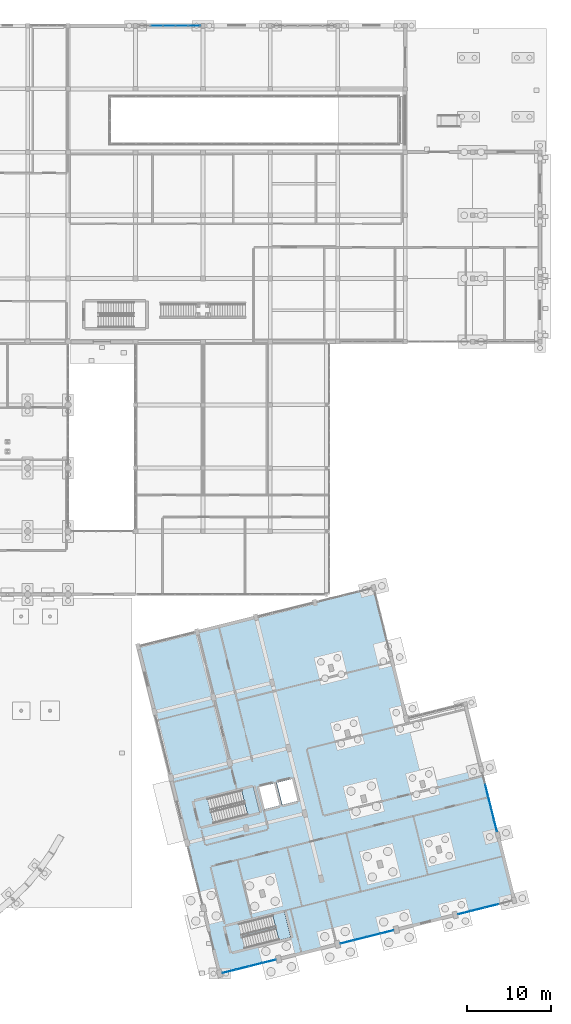
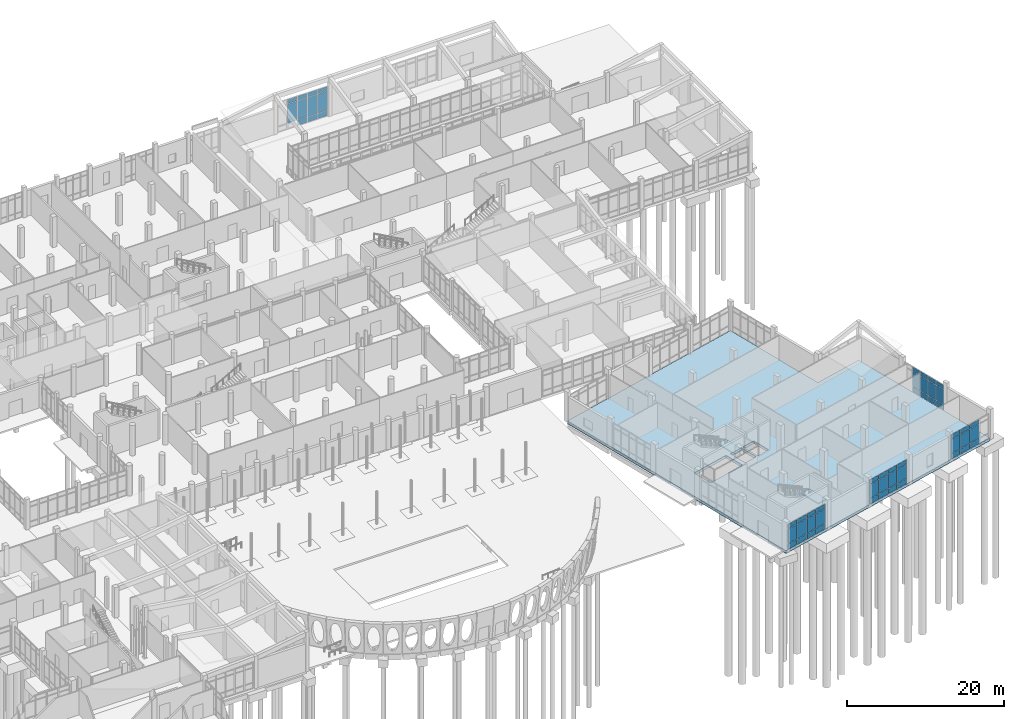
# One storey, part 141 of 173: 56 plates, 3 slabs, 7 elements without a shape of their own.
"""IFC4 building model written with IfcOpenShell, lengths in metres."""

from ifc_helpers import new_model, si_unit, direction, frame, origin, origin_2d, place, context, subcontext, project, spatial, polyline, rectangle, outline, extrude, material, layer, layer_set, type_object, element, aggregate, save


model = new_model("IFC4")

# Units and contexts
model_context = context("Model", 3, precision=1e-05, world=origin(), true_north=direction((0.0, 1.0)))
body_context = subcontext(model_context, "Body", "Model", "MODEL_VIEW")
ifc_project = project(units=[si_unit("LENGTHUNIT", "METRE"), si_unit("AREAUNIT", "SQUARE_METRE"), si_unit("VOLUMEUNIT", "CUBIC_METRE"), si_unit("PLANEANGLEUNIT", "RADIAN"), si_unit("MASSUNIT", "GRAM", prefix="KILO")], contexts=[model_context])

# Site, building, storey
site_placement = place(None, origin())
site = spatial("IfcSite", under=ifc_project, at=site_placement, CompositionType="ELEMENT")
building_placement = place(site_placement, origin())
building = spatial("IfcBuilding", under=site, at=building_placement, Name="Mawjan Specialist Oncology Clinic", CompositionType="ELEMENT")
storey_placement = place(building_placement, origin())
storey = spatial("IfcBuildingStorey", under=building, at=storey_placement, Name="L00", CompositionType="ELEMENT", Elevation=0.0)

# Curtain wall, plates
ifc_material_1 = material(Name="Unitised spectrally selective aluminium curtain wall", Category="aluminium")
ifc_layer_1 = layer(ifc_material_1, 0.179931640625, Name="Unitised spectrally selective aluminium curtain wall", Category="aluminium")
ifc_layer_set_1 = layer_set([ifc_layer_1], Name="Unitised spectrally selective aluminium curtain wall")
curtain_wall_type_1 = type_object("IfcCurtainWallType", Name="CW-15", PredefinedType="NOTDEFINED", material=ifc_layer_set_1)
curtain_wall_1_placement = place(storey_placement, origin())
curtain_wall_1 = element("IfcCurtainWall", 1, at=curtain_wall_1_placement, inside=storey, type_object=curtain_wall_type_1, Name="L00 Unitised Curtain Wall CW-L00-027", PredefinedType="NOTDEFINED")
ifc_material_2 = material(Name="Spectrally selective double low-E glazing", Category="glass")
ifc_layer_2 = layer(ifc_material_2, 0.035888671875, Name="Spectrally selective double low-E glazing", Category="glass")
ifc_layer_set_2 = layer_set([ifc_layer_2], Name="Spectrally selective double low-E glazing")
plate_type = type_object("IfcPlateType", Name="CW-P36", PredefinedType="CURTAIN_PANEL", material=ifc_layer_set_2)
plate_1_placement = place(storey_placement, frame((118.508056640625, 113.300048828125, 0.93505859375), z_axis=(0.0, 0.0, 1.0), x_axis=(1.0, 0.0, 0.0)))
plate_1 = element("IfcPlate", 2, at=plate_1_placement, type_object=plate_type, Name="CW-15 panel 2.2", PredefinedType="CURTAIN_PANEL", context=body_context, shape_type="SweptSolid", body=[
    extrude(rectangle(XDim=1.422119140625, YDim=0.035888671875, at=origin_2d()), origin(), (0.0, 0.0, 1.0), 2.949951171875),
])
plate_2_placement = place(storey_placement, frame((118.508056640625, 113.300048828125, 3.955078125), z_axis=(0.0, 0.0, 1.0), x_axis=(1.0, 0.0, 0.0)))
plate_2 = element("IfcPlate", 3, at=plate_2_placement, type_object=plate_type, Name="CW-15 panel 2.3", PredefinedType="CURTAIN_PANEL", context=body_context, shape_type="SweptSolid", body=[
    extrude(rectangle(XDim=1.422119140625, YDim=0.035888671875, at=origin_2d()), origin(), (0.0, 0.0, 1.0), 0.64501953125),
])
plate_3_placement = place(storey_placement, frame((120.0, 113.300048828125, 0.070068359375), z_axis=(0.0, 0.0, 1.0), x_axis=(1.0, 0.0, 0.0)))
plate_3 = element("IfcPlate", 4, at=plate_3_placement, type_object=plate_type, Name="CW-15 panel 3.1", PredefinedType="CURTAIN_PANEL", context=body_context, shape_type="SweptSolid", body=[
    extrude(rectangle(XDim=1.422119140625, YDim=0.035888671875, at=origin_2d()), origin(), (0.0, 0.0, 1.0), 0.794921875),
])
plate_4_placement = place(storey_placement, frame((120.0, 113.300048828125, 0.93505859375), z_axis=(0.0, 0.0, 1.0), x_axis=(1.0, 0.0, 0.0)))
plate_4 = element("IfcPlate", 5, at=plate_4_placement, type_object=plate_type, Name="CW-15 panel 3.2", PredefinedType="CURTAIN_PANEL", context=body_context, shape_type="SweptSolid", body=[
    extrude(rectangle(XDim=1.422119140625, YDim=0.035888671875, at=origin_2d()), origin(), (0.0, 0.0, 1.0), 2.949951171875),
])
plate_5_placement = place(storey_placement, frame((120.0, 113.300048828125, 3.955078125), z_axis=(0.0, 0.0, 1.0), x_axis=(1.0, 0.0, 0.0)))
plate_5 = element("IfcPlate", 6, at=plate_5_placement, type_object=plate_type, Name="CW-15 panel 3.3", PredefinedType="CURTAIN_PANEL", context=body_context, shape_type="SweptSolid", body=[
    extrude(rectangle(XDim=1.422119140625, YDim=0.035888671875, at=origin_2d()), origin(), (0.0, 0.0, 1.0), 0.64501953125),
])
plate_6_placement = place(storey_placement, frame((121.491943359375, 113.300048828125, 0.070068359375), z_axis=(0.0, 0.0, 1.0), x_axis=(1.0, 0.0, 0.0)))
plate_6 = element("IfcPlate", 7, at=plate_6_placement, type_object=plate_type, Name="CW-15 panel 4.1", PredefinedType="CURTAIN_PANEL", context=body_context, shape_type="SweptSolid", body=[
    extrude(rectangle(XDim=1.422119140625, YDim=0.035888671875, at=origin_2d()), origin(), (0.0, 0.0, 1.0), 0.794921875),
])
plate_7_placement = place(storey_placement, frame((121.491943359375, 113.300048828125, 0.93505859375), z_axis=(0.0, 0.0, 1.0), x_axis=(1.0, 0.0, 0.0)))
plate_7 = element("IfcPlate", 8, at=plate_7_placement, type_object=plate_type, Name="CW-15 panel 4.2", PredefinedType="CURTAIN_PANEL", context=body_context, shape_type="SweptSolid", body=[
    extrude(rectangle(XDim=1.422119140625, YDim=0.035888671875, at=origin_2d()), origin(), (0.0, 0.0, 1.0), 2.949951171875),
])
plate_8_placement = place(storey_placement, frame((121.491943359375, 113.300048828125, 3.955078125), z_axis=(0.0, 0.0, 1.0), x_axis=(1.0, 0.0, 0.0)))
plate_8 = element("IfcPlate", 9, at=plate_8_placement, type_object=plate_type, Name="CW-15 panel 4.3", PredefinedType="CURTAIN_PANEL", context=body_context, shape_type="SweptSolid", body=[
    extrude(rectangle(XDim=1.422119140625, YDim=0.035888671875, at=origin_2d()), origin(), (0.0, 0.0, 1.0), 0.64501953125),
])
plate_9_placement = place(storey_placement, frame((122.966552734375, 113.300048828125, 0.070068359375), z_axis=(0.0, 0.0, 1.0), x_axis=(1.0, 0.0, 0.0)))
plate_9 = element("IfcPlate", 10, at=plate_9_placement, type_object=plate_type, Name="CW-15 panel 5.1", PredefinedType="CURTAIN_PANEL", context=body_context, shape_type="SweptSolid", body=[
    extrude(rectangle(XDim=1.386962890625, YDim=0.035888671875, at=origin_2d()), origin(), (0.0, 0.0, 1.0), 0.794921875),
])
plate_10_placement = place(storey_placement, frame((122.966552734375, 113.300048828125, 0.93505859375), z_axis=(0.0, 0.0, 1.0), x_axis=(1.0, 0.0, 0.0)))
plate_10 = element("IfcPlate", 11, at=plate_10_placement, type_object=plate_type, Name="CW-15 panel 5.2", PredefinedType="CURTAIN_PANEL", context=body_context, shape_type="SweptSolid", body=[
    extrude(rectangle(XDim=1.386962890625, YDim=0.035888671875, at=origin_2d()), origin(), (0.0, 0.0, 1.0), 2.949951171875),
])
plate_11_placement = place(storey_placement, frame((122.966552734375, 113.300048828125, 3.955078125), z_axis=(0.0, 0.0, 1.0), x_axis=(1.0, 0.0, 0.0)))
plate_11 = element("IfcPlate", 12, at=plate_11_placement, type_object=plate_type, Name="CW-15 panel 5.3", PredefinedType="CURTAIN_PANEL", context=body_context, shape_type="SweptSolid", body=[
    extrude(rectangle(XDim=1.386962890625, YDim=0.035888671875, at=origin_2d()), origin(), (0.0, 0.0, 1.0), 0.64501953125),
])
aggregate(curtain_wall_1, [plate_1, plate_2, plate_3, plate_4, plate_5, plate_6, plate_7, plate_8, plate_9, plate_10, plate_11])

ifc_material_3 = material(Name="Unitised spectrally selective aluminium curtain wall", Category="aluminium")
ifc_layer_3 = layer(ifc_material_3, 0.179931640625, Name="Unitised spectrally selective aluminium curtain wall", Category="aluminium")
ifc_layer_set_3 = layer_set([ifc_layer_3], Name="Unitised spectrally selective aluminium curtain wall")
curtain_wall_type_2 = type_object("IfcCurtainWallType", Name="CW-34", PredefinedType="NOTDEFINED", material=ifc_layer_set_3)
curtain_wall_2_placement = place(storey_placement, origin())
curtain_wall_2 = element("IfcCurtainWall", 13, at=curtain_wall_2_placement, inside=storey, type_object=curtain_wall_type_2, Name="L00 Unitised Curtain Wall CW-L00-075", PredefinedType="NOTDEFINED")
plate_12_placement = place(storey_placement, frame((157.6787109375, 22.552001953125, 0.06494140625), z_axis=(0.0, 0.0, 1.0), x_axis=(0.241921919004, -0.970295720441, 0.0)))
plate_12 = element("IfcPlate", 14, at=plate_12_placement, type_object=plate_type, Name="CW-34 panel 2.1", PredefinedType="CURTAIN_PANEL", context=body_context, shape_type="SweptSolid", body=[
    extrude(rectangle(XDim=1.376953125, YDim=0.035888671875, at=origin_2d()), origin(), (0.0, 0.0, 1.0), 0.802490234375),
])
plate_13_placement = place(storey_placement, frame((157.6787109375, 22.552001953125, 0.932373046875), z_axis=(0.0, 0.0, 1.0), x_axis=(0.241921919004, -0.970295720441, 0.0)))
plate_13 = element("IfcPlate", 15, at=plate_13_placement, type_object=plate_type, Name="CW-34 panel 2.2", PredefinedType="CURTAIN_PANEL", context=body_context, shape_type="SweptSolid", body=[
    extrude(rectangle(XDim=1.376953125, YDim=0.035888671875, at=origin_2d()), origin(), (0.0, 0.0, 1.0), 2.27001953125),
])
plate_14_placement = place(storey_placement, frame((157.6787109375, 22.552001953125, 3.267578125), z_axis=(0.0, 0.0, 1.0), x_axis=(0.241921919004, -0.970295720441, 0.0)))
plate_14 = element("IfcPlate", 16, at=plate_14_placement, type_object=plate_type, Name="CW-34 panel 2.3", PredefinedType="CURTAIN_PANEL", context=body_context, shape_type="SweptSolid", body=[
    extrude(rectangle(XDim=1.376953125, YDim=0.035888671875, at=origin_2d()), origin(), (0.0, 0.0, 1.0), 0.652587890625),
])
plate_15_placement = place(storey_placement, frame((158.027587890625, 21.15283203125, 0.06494140625), z_axis=(0.0, 0.0, 1.0), x_axis=(0.241921919004, -0.970295720441, 0.0)))
plate_15 = element("IfcPlate", 17, at=plate_15_placement, type_object=plate_type, Name="CW-34 panel 3.1", PredefinedType="CURTAIN_PANEL", context=body_context, shape_type="SweptSolid", body=[
    extrude(rectangle(XDim=1.376953125, YDim=0.035888671875, at=origin_2d()), origin(), (0.0, 0.0, 1.0), 0.802490234375),
])
plate_16_placement = place(storey_placement, frame((158.027587890625, 21.15283203125, 0.932373046875), z_axis=(0.0, 0.0, 1.0), x_axis=(0.241921919004, -0.970295720441, 0.0)))
plate_16 = element("IfcPlate", 18, at=plate_16_placement, type_object=plate_type, Name="CW-34 panel 3.2", PredefinedType="CURTAIN_PANEL", context=body_context, shape_type="SweptSolid", body=[
    extrude(rectangle(XDim=1.376953125, YDim=0.035888671875, at=origin_2d()), origin(), (0.0, 0.0, 1.0), 2.27001953125),
])
plate_17_placement = place(storey_placement, frame((158.027587890625, 21.15283203125, 3.267578125), z_axis=(0.0, 0.0, 1.0), x_axis=(0.241921919004, -0.970295720441, 0.0)))
plate_17 = element("IfcPlate", 19, at=plate_17_placement, type_object=plate_type, Name="CW-34 panel 3.3", PredefinedType="CURTAIN_PANEL", context=body_context, shape_type="SweptSolid", body=[
    extrude(rectangle(XDim=1.376953125, YDim=0.035888671875, at=origin_2d()), origin(), (0.0, 0.0, 1.0), 0.652587890625),
])
plate_18_placement = place(storey_placement, frame((158.37646484375, 19.753662109375, 0.06494140625), z_axis=(0.0, 0.0, 1.0), x_axis=(0.241921919004, -0.970295720441, 0.0)))
plate_18 = element("IfcPlate", 20, at=plate_18_placement, type_object=plate_type, Name="CW-34 panel 4.1", PredefinedType="CURTAIN_PANEL", context=body_context, shape_type="SweptSolid", body=[
    extrude(rectangle(XDim=1.376953125, YDim=0.035888671875, at=origin_2d()), origin(), (0.0, 0.0, 1.0), 0.802490234375),
])
plate_19_placement = place(storey_placement, frame((158.37646484375, 19.753662109375, 0.932373046875), z_axis=(0.0, 0.0, 1.0), x_axis=(0.241921919004, -0.970295720441, 0.0)))
plate_19 = element("IfcPlate", 21, at=plate_19_placement, type_object=plate_type, Name="CW-34 panel 4.2", PredefinedType="CURTAIN_PANEL", context=body_context, shape_type="SweptSolid", body=[
    extrude(rectangle(XDim=1.376953125, YDim=0.035888671875, at=origin_2d()), origin(), (0.0, 0.0, 1.0), 2.27001953125),
])
plate_20_placement = place(storey_placement, frame((158.37646484375, 19.753662109375, 3.267578125), z_axis=(0.0, 0.0, 1.0), x_axis=(0.241921919004, -0.970295720441, 0.0)))
plate_20 = element("IfcPlate", 22, at=plate_20_placement, type_object=plate_type, Name="CW-34 panel 4.3", PredefinedType="CURTAIN_PANEL", context=body_context, shape_type="SweptSolid", body=[
    extrude(rectangle(XDim=1.376953125, YDim=0.035888671875, at=origin_2d()), origin(), (0.0, 0.0, 1.0), 0.652587890625),
])
plate_21_placement = place(storey_placement, frame((158.721435546875, 18.3701171875, 0.06494140625), z_axis=(0.0, 0.0, 1.0), x_axis=(0.241921919004, -0.970295720441, 0.0)))
plate_21 = element("IfcPlate", 23, at=plate_21_placement, type_object=plate_type, Name="CW-34 panel 5.1", PredefinedType="CURTAIN_PANEL", context=body_context, shape_type="SweptSolid", body=[
    extrude(rectangle(XDim=1.344482421875, YDim=0.035888671875, at=origin_2d()), origin(), (0.0, 0.0, 1.0), 0.802490234375),
])
plate_22_placement = place(storey_placement, frame((158.721435546875, 18.3701171875, 0.932373046875), z_axis=(0.0, 0.0, 1.0), x_axis=(0.241921919004, -0.970295720441, 0.0)))
plate_22 = element("IfcPlate", 24, at=plate_22_placement, type_object=plate_type, Name="CW-34 panel 5.2", PredefinedType="CURTAIN_PANEL", context=body_context, shape_type="SweptSolid", body=[
    extrude(rectangle(XDim=1.344482421875, YDim=0.035888671875, at=origin_2d()), origin(), (0.0, 0.0, 1.0), 2.27001953125),
])
plate_23_placement = place(storey_placement, frame((158.721435546875, 18.3701171875, 3.267578125), z_axis=(0.0, 0.0, 1.0), x_axis=(0.241921919004, -0.970295720441, 0.0)))
plate_23 = element("IfcPlate", 25, at=plate_23_placement, type_object=plate_type, Name="CW-34 panel 5.3", PredefinedType="CURTAIN_PANEL", context=body_context, shape_type="SweptSolid", body=[
    extrude(rectangle(XDim=1.344482421875, YDim=0.035888671875, at=origin_2d()), origin(), (0.0, 0.0, 1.0), 0.652587890625),
])
aggregate(curtain_wall_2, [plate_12, plate_13, plate_14, plate_15, plate_16, plate_17, plate_18, plate_19, plate_20, plate_21, plate_22, plate_23])

ifc_material_4 = material(Name="Unitised spectrally selective aluminium curtain wall", Category="aluminium")
ifc_layer_4 = layer(ifc_material_4, 0.179931640625, Name="Unitised spectrally selective aluminium curtain wall", Category="aluminium")
ifc_layer_set_4 = layer_set([ifc_layer_4], Name="Unitised spectrally selective aluminium curtain wall")
curtain_wall_type_3 = type_object("IfcCurtainWallType", Name="CW-35", PredefinedType="NOTDEFINED", material=ifc_layer_set_4)
curtain_wall_3_placement = place(storey_placement, origin())
curtain_wall_3 = element("IfcCurtainWall", 26, at=curtain_wall_3_placement, inside=storey, type_object=curtain_wall_type_3, Name="L00 Unitised Curtain Wall CW-L00-076", PredefinedType="NOTDEFINED")
plate_24_placement = place(storey_placement, frame((158.25439453125, 8.842041015625, 0.06494140625), z_axis=(0.0, 0.0, 1.0), x_axis=(-0.970295681751, -0.241922074178, 0.0)))
plate_24 = element("IfcPlate", 27, at=plate_24_placement, type_object=plate_type, Name="CW-35 panel 2.1", PredefinedType="CURTAIN_PANEL", context=body_context, shape_type="SweptSolid", body=[
    extrude(rectangle(XDim=1.59375, YDim=0.035888671875, at=origin_2d()), origin(), (0.0, 0.0, 1.0), 0.802490234375),
])
plate_25_placement = place(storey_placement, frame((158.25439453125, 8.842041015625, 0.9326171875), z_axis=(0.0, 0.0, 1.0), x_axis=(-0.970295681751, -0.241922074178, 0.0)))
plate_25 = element("IfcPlate", 28, at=plate_25_placement, type_object=plate_type, Name="CW-35 panel 2.2", PredefinedType="CURTAIN_PANEL", context=body_context, shape_type="SweptSolid", body=[
    extrude(rectangle(XDim=1.59375, YDim=0.035888671875, at=origin_2d()), origin(), (0.0, 0.0, 1.0), 2.169921875),
])
plate_26_placement = place(storey_placement, frame((158.25439453125, 8.842041015625, 3.16748046875), z_axis=(0.0, 0.0, 1.0), x_axis=(-0.970295681751, -0.241922074178, 0.0)))
plate_26 = element("IfcPlate", 29, at=plate_26_placement, type_object=plate_type, Name="CW-35 panel 2.3", PredefinedType="CURTAIN_PANEL", context=body_context, shape_type="SweptSolid", body=[
    extrude(rectangle(XDim=1.59375, YDim=0.035888671875, at=origin_2d()), origin(), (0.0, 0.0, 1.0), 0.652587890625),
])
plate_27_placement = place(storey_placement, frame((156.64501953125, 8.440673828125, 0.06494140625), z_axis=(0.0, 0.0, 1.0), x_axis=(-0.970295681751, -0.241922074178, 0.0)))
plate_27 = element("IfcPlate", 30, at=plate_27_placement, type_object=plate_type, Name="CW-35 panel 3.1", PredefinedType="CURTAIN_PANEL", context=body_context, shape_type="SweptSolid", body=[
    extrude(rectangle(XDim=1.59375, YDim=0.035888671875, at=origin_2d()), origin(), (0.0, 0.0, 1.0), 0.802490234375),
])
plate_28_placement = place(storey_placement, frame((156.64501953125, 8.440673828125, 0.9326171875), z_axis=(0.0, 0.0, 1.0), x_axis=(-0.970295681751, -0.241922074178, 0.0)))
plate_28 = element("IfcPlate", 31, at=plate_28_placement, type_object=plate_type, Name="CW-35 panel 3.2", PredefinedType="CURTAIN_PANEL", context=body_context, shape_type="SweptSolid", body=[
    extrude(rectangle(XDim=1.59375, YDim=0.035888671875, at=origin_2d()), origin(), (0.0, 0.0, 1.0), 2.169921875),
])
plate_29_placement = place(storey_placement, frame((156.64501953125, 8.440673828125, 3.16748046875), z_axis=(0.0, 0.0, 1.0), x_axis=(-0.970295681751, -0.241922074178, 0.0)))
plate_29 = element("IfcPlate", 32, at=plate_29_placement, type_object=plate_type, Name="CW-35 panel 3.3", PredefinedType="CURTAIN_PANEL", context=body_context, shape_type="SweptSolid", body=[
    extrude(rectangle(XDim=1.59375, YDim=0.035888671875, at=origin_2d()), origin(), (0.0, 0.0, 1.0), 0.652587890625),
])
plate_30_placement = place(storey_placement, frame((155.05126953125, 8.043212890625, 0.06494140625), z_axis=(0.0, 0.0, 1.0), x_axis=(-0.970295681751, -0.241922074178, 0.0)))
plate_30 = element("IfcPlate", 33, at=plate_30_placement, type_object=plate_type, Name="CW-35 panel 4.1", PredefinedType="CURTAIN_PANEL", context=body_context, shape_type="SweptSolid", body=[
    extrude(rectangle(XDim=1.561279296875, YDim=0.035888671875, at=origin_2d()), origin(), (0.0, 0.0, 1.0), 0.802490234375),
])
plate_31_placement = place(storey_placement, frame((155.05126953125, 8.043212890625, 0.9326171875), z_axis=(0.0, 0.0, 1.0), x_axis=(-0.970295681751, -0.241922074178, 0.0)))
plate_31 = element("IfcPlate", 34, at=plate_31_placement, type_object=plate_type, Name="CW-35 panel 4.2", PredefinedType="CURTAIN_PANEL", context=body_context, shape_type="SweptSolid", body=[
    extrude(rectangle(XDim=1.561279296875, YDim=0.035888671875, at=origin_2d()), origin(), (0.0, 0.0, 1.0), 2.169921875),
])
plate_32_placement = place(storey_placement, frame((155.05126953125, 8.043212890625, 3.16748046875), z_axis=(0.0, 0.0, 1.0), x_axis=(-0.970295681751, -0.241922074178, 0.0)))
plate_32 = element("IfcPlate", 35, at=plate_32_placement, type_object=plate_type, Name="CW-35 panel 4.3", PredefinedType="CURTAIN_PANEL", context=body_context, shape_type="SweptSolid", body=[
    extrude(rectangle(XDim=1.561279296875, YDim=0.035888671875, at=origin_2d()), origin(), (0.0, 0.0, 1.0), 0.652587890625),
])
aggregate(curtain_wall_3, [plate_24, plate_25, plate_26, plate_27, plate_28, plate_29, plate_30, plate_31, plate_32])

ifc_material_5 = material(Name="Unitised spectrally selective aluminium curtain wall", Category="aluminium")
ifc_layer_5 = layer(ifc_material_5, 0.179931640625, Name="Unitised spectrally selective aluminium curtain wall", Category="aluminium")
ifc_layer_set_5 = layer_set([ifc_layer_5], Name="Unitised spectrally selective aluminium curtain wall")
curtain_wall_type_4 = type_object("IfcCurtainWallType", Name="CW-36", PredefinedType="NOTDEFINED", material=ifc_layer_set_5)
curtain_wall_4_placement = place(storey_placement, origin())
curtain_wall_4 = element("IfcCurtainWall", 36, at=curtain_wall_4_placement, inside=storey, type_object=curtain_wall_type_4, Name="L00 Unitised Curtain Wall CW-L00-077", PredefinedType="NOTDEFINED")
plate_33_placement = place(storey_placement, frame((145.83642578125, 5.745849609375, 0.06494140625), z_axis=(0.0, 0.0, 1.0), x_axis=(-0.970295713537, -0.241921946692, 0.0)))
plate_33 = element("IfcPlate", 37, at=plate_33_placement, type_object=plate_type, Name="CW-36 panel 1.1", PredefinedType="CURTAIN_PANEL", context=body_context, shape_type="SweptSolid", body=[
    extrude(rectangle(XDim=1.54248046875, YDim=0.035888671875, at=origin_2d()), origin(), (0.0, 0.0, 1.0), 0.802490234375),
])
plate_34_placement = place(storey_placement, frame((145.83642578125, 5.745849609375, 0.9326171875), z_axis=(0.0, 0.0, 1.0), x_axis=(-0.970295713537, -0.241921946692, 0.0)))
plate_34 = element("IfcPlate", 38, at=plate_34_placement, type_object=plate_type, Name="CW-36 panel 1.2", PredefinedType="CURTAIN_PANEL", context=body_context, shape_type="SweptSolid", body=[
    extrude(rectangle(XDim=1.54248046875, YDim=0.035888671875, at=origin_2d()), origin(), (0.0, 0.0, 1.0), 2.169921875),
])
plate_35_placement = place(storey_placement, frame((145.83642578125, 5.745849609375, 3.16748046875), z_axis=(0.0, 0.0, 1.0), x_axis=(-0.970295713537, -0.241921946692, 0.0)))
plate_35 = element("IfcPlate", 39, at=plate_35_placement, type_object=plate_type, Name="CW-36 panel 1.3", PredefinedType="CURTAIN_PANEL", context=body_context, shape_type="SweptSolid", body=[
    extrude(rectangle(XDim=1.54248046875, YDim=0.035888671875, at=origin_2d()), origin(), (0.0, 0.0, 1.0), 0.652587890625),
])
plate_36_placement = place(storey_placement, frame((144.260986328125, 5.35302734375, 0.06494140625), z_axis=(0.0, 0.0, 1.0), x_axis=(-0.970295713537, -0.241921946692, 0.0)))
plate_36 = element("IfcPlate", 40, at=plate_36_placement, type_object=plate_type, Name="CW-36 panel 2.1", PredefinedType="CURTAIN_PANEL", context=body_context, shape_type="SweptSolid", body=[
    extrude(rectangle(XDim=1.574951171875, YDim=0.035888671875, at=origin_2d()), origin(), (0.0, 0.0, 1.0), 0.802490234375),
])
plate_37_placement = place(storey_placement, frame((144.260986328125, 5.35302734375, 0.9326171875), z_axis=(0.0, 0.0, 1.0), x_axis=(-0.970295713537, -0.241921946692, 0.0)))
plate_37 = element("IfcPlate", 41, at=plate_37_placement, type_object=plate_type, Name="CW-36 panel 2.2", PredefinedType="CURTAIN_PANEL", context=body_context, shape_type="SweptSolid", body=[
    extrude(rectangle(XDim=1.574951171875, YDim=0.035888671875, at=origin_2d()), origin(), (0.0, 0.0, 1.0), 2.169921875),
])
plate_38_placement = place(storey_placement, frame((144.260986328125, 5.35302734375, 3.16748046875), z_axis=(0.0, 0.0, 1.0), x_axis=(-0.970295713537, -0.241921946692, 0.0)))
plate_38 = element("IfcPlate", 42, at=plate_38_placement, type_object=plate_type, Name="CW-36 panel 2.3", PredefinedType="CURTAIN_PANEL", context=body_context, shape_type="SweptSolid", body=[
    extrude(rectangle(XDim=1.574951171875, YDim=0.035888671875, at=origin_2d()), origin(), (0.0, 0.0, 1.0), 0.652587890625),
])
plate_39_placement = place(storey_placement, frame((142.669677734375, 4.956298828125, 0.06494140625), z_axis=(0.0, 0.0, 1.0), x_axis=(-0.970295713537, -0.241921946692, 0.0)))
plate_39 = element("IfcPlate", 43, at=plate_39_placement, type_object=plate_type, Name="CW-36 panel 3.1", PredefinedType="CURTAIN_PANEL", context=body_context, shape_type="SweptSolid", body=[
    extrude(rectangle(XDim=1.574951171875, YDim=0.035888671875, at=origin_2d()), origin(), (0.0, 0.0, 1.0), 0.802490234375),
])
plate_40_placement = place(storey_placement, frame((142.669677734375, 4.956298828125, 0.9326171875), z_axis=(0.0, 0.0, 1.0), x_axis=(-0.970295713537, -0.241921946692, 0.0)))
plate_40 = element("IfcPlate", 44, at=plate_40_placement, type_object=plate_type, Name="CW-36 panel 3.2", PredefinedType="CURTAIN_PANEL", context=body_context, shape_type="SweptSolid", body=[
    extrude(rectangle(XDim=1.574951171875, YDim=0.035888671875, at=origin_2d()), origin(), (0.0, 0.0, 1.0), 2.169921875),
])
plate_41_placement = place(storey_placement, frame((142.669677734375, 4.956298828125, 3.16748046875), z_axis=(0.0, 0.0, 1.0), x_axis=(-0.970295713537, -0.241921946692, 0.0)))
plate_41 = element("IfcPlate", 45, at=plate_41_placement, type_object=plate_type, Name="CW-36 panel 3.3", PredefinedType="CURTAIN_PANEL", context=body_context, shape_type="SweptSolid", body=[
    extrude(rectangle(XDim=1.574951171875, YDim=0.035888671875, at=origin_2d()), origin(), (0.0, 0.0, 1.0), 0.652587890625),
])
plate_42_placement = place(storey_placement, frame((141.09423828125, 4.5634765625, 0.06494140625), z_axis=(0.0, 0.0, 1.0), x_axis=(-0.970295713537, -0.241921946692, 0.0)))
plate_42 = element("IfcPlate", 46, at=plate_42_placement, type_object=plate_type, Name="CW-36 panel 4.1", PredefinedType="CURTAIN_PANEL", context=body_context, shape_type="SweptSolid", body=[
    extrude(rectangle(XDim=1.54248046875, YDim=0.035888671875, at=origin_2d()), origin(), (0.0, 0.0, 1.0), 0.802490234375),
])
plate_43_placement = place(storey_placement, frame((141.09423828125, 4.5634765625, 0.9326171875), z_axis=(0.0, 0.0, 1.0), x_axis=(-0.970295713537, -0.241921946692, 0.0)))
plate_43 = element("IfcPlate", 47, at=plate_43_placement, type_object=plate_type, Name="CW-36 panel 4.2", PredefinedType="CURTAIN_PANEL", context=body_context, shape_type="SweptSolid", body=[
    extrude(rectangle(XDim=1.54248046875, YDim=0.035888671875, at=origin_2d()), origin(), (0.0, 0.0, 1.0), 2.169921875),
])
plate_44_placement = place(storey_placement, frame((141.09423828125, 4.5634765625, 3.16748046875), z_axis=(0.0, 0.0, 1.0), x_axis=(-0.970295713537, -0.241921946692, 0.0)))
plate_44 = element("IfcPlate", 48, at=plate_44_placement, type_object=plate_type, Name="CW-36 panel 4.3", PredefinedType="CURTAIN_PANEL", context=body_context, shape_type="SweptSolid", body=[
    extrude(rectangle(XDim=1.54248046875, YDim=0.035888671875, at=origin_2d()), origin(), (0.0, 0.0, 1.0), 0.652587890625),
])
aggregate(curtain_wall_4, [plate_33, plate_34, plate_35, plate_36, plate_37, plate_38, plate_39, plate_40, plate_41, plate_42, plate_43, plate_44])

ifc_material_6 = material(Name="Unitised spectrally selective aluminium curtain wall", Category="aluminium")
ifc_layer_6 = layer(ifc_material_6, 0.179931640625, Name="Unitised spectrally selective aluminium curtain wall", Category="aluminium")
ifc_layer_set_6 = layer_set([ifc_layer_6], Name="Unitised spectrally selective aluminium curtain wall")
curtain_wall_type_5 = type_object("IfcCurtainWallType", Name="CW-37", PredefinedType="NOTDEFINED", material=ifc_layer_set_6)
curtain_wall_5_placement = place(storey_placement, origin())
curtain_wall_5 = element("IfcCurtainWall", 49, at=curtain_wall_5_placement, inside=storey, type_object=curtain_wall_type_5, Name="L00 Unitised Curtain Wall CW-L00-078", PredefinedType="NOTDEFINED")
plate_45_placement = place(storey_placement, frame((131.8642578125, 2.26220703125, 0.06494140625), z_axis=(0.0, 0.0, 1.0), x_axis=(-0.970295704615, -0.241921982475, 0.0)))
plate_45 = element("IfcPlate", 50, at=plate_45_placement, type_object=plate_type, Name="CW-37 panel 1.1", PredefinedType="CURTAIN_PANEL", context=body_context, shape_type="SweptSolid", body=[
    extrude(rectangle(XDim=1.54248046875, YDim=0.035888671875, at=origin_2d()), origin(), (0.0, 0.0, 1.0), 0.802490234375),
])
plate_46_placement = place(storey_placement, frame((131.8642578125, 2.26220703125, 0.932373046875), z_axis=(0.0, 0.0, 1.0), x_axis=(-0.970295704615, -0.241921982475, 0.0)))
plate_46 = element("IfcPlate", 51, at=plate_46_placement, type_object=plate_type, Name="CW-37 panel 1.2", PredefinedType="CURTAIN_PANEL", context=body_context, shape_type="SweptSolid", body=[
    extrude(rectangle(XDim=1.54248046875, YDim=0.035888671875, at=origin_2d()), origin(), (0.0, 0.0, 1.0), 2.27001953125),
])
plate_47_placement = place(storey_placement, frame((131.8642578125, 2.26220703125, 3.267578125), z_axis=(0.0, 0.0, 1.0), x_axis=(-0.970295704615, -0.241921982475, 0.0)))
plate_47 = element("IfcPlate", 52, at=plate_47_placement, type_object=plate_type, Name="CW-37 panel 1.3", PredefinedType="CURTAIN_PANEL", context=body_context, shape_type="SweptSolid", body=[
    extrude(rectangle(XDim=1.54248046875, YDim=0.035888671875, at=origin_2d()), origin(), (0.0, 0.0, 1.0), 0.652587890625),
])
plate_48_placement = place(storey_placement, frame((130.288818359375, 1.869384765625, 0.06494140625), z_axis=(0.0, 0.0, 1.0), x_axis=(-0.970295704615, -0.241921982475, 0.0)))
plate_48 = element("IfcPlate", 53, at=plate_48_placement, type_object=plate_type, Name="CW-37 panel 2.1", PredefinedType="CURTAIN_PANEL", context=body_context, shape_type="SweptSolid", body=[
    extrude(rectangle(XDim=1.574951171875, YDim=0.035888671875, at=origin_2d()), origin(), (0.0, 0.0, 1.0), 0.802490234375),
])
plate_49_placement = place(storey_placement, frame((130.288818359375, 1.869384765625, 0.932373046875), z_axis=(0.0, 0.0, 1.0), x_axis=(-0.970295704615, -0.241921982475, 0.0)))
plate_49 = element("IfcPlate", 54, at=plate_49_placement, type_object=plate_type, Name="CW-37 panel 2.2", PredefinedType="CURTAIN_PANEL", context=body_context, shape_type="SweptSolid", body=[
    extrude(rectangle(XDim=1.574951171875, YDim=0.035888671875, at=origin_2d()), origin(), (0.0, 0.0, 1.0), 2.27001953125),
])
plate_50_placement = place(storey_placement, frame((130.288818359375, 1.869384765625, 3.267578125), z_axis=(0.0, 0.0, 1.0), x_axis=(-0.970295704615, -0.241921982475, 0.0)))
plate_50 = element("IfcPlate", 55, at=plate_50_placement, type_object=plate_type, Name="CW-37 panel 2.3", PredefinedType="CURTAIN_PANEL", context=body_context, shape_type="SweptSolid", body=[
    extrude(rectangle(XDim=1.574951171875, YDim=0.035888671875, at=origin_2d()), origin(), (0.0, 0.0, 1.0), 0.652587890625),
])
plate_51_placement = place(storey_placement, frame((128.697509765625, 1.47265625, 0.06494140625), z_axis=(0.0, 0.0, 1.0), x_axis=(-0.970295704615, -0.241921982475, 0.0)))
plate_51 = element("IfcPlate", 56, at=plate_51_placement, type_object=plate_type, Name="CW-37 panel 3.1", PredefinedType="CURTAIN_PANEL", context=body_context, shape_type="SweptSolid", body=[
    extrude(rectangle(XDim=1.574951171875, YDim=0.035888671875, at=origin_2d()), origin(), (0.0, 0.0, 1.0), 0.802490234375),
])
plate_52_placement = place(storey_placement, frame((128.697509765625, 1.47265625, 0.932373046875), z_axis=(0.0, 0.0, 1.0), x_axis=(-0.970295704615, -0.241921982475, 0.0)))
plate_52 = element("IfcPlate", 57, at=plate_52_placement, type_object=plate_type, Name="CW-37 panel 3.2", PredefinedType="CURTAIN_PANEL", context=body_context, shape_type="SweptSolid", body=[
    extrude(rectangle(XDim=1.574951171875, YDim=0.035888671875, at=origin_2d()), origin(), (0.0, 0.0, 1.0), 2.27001953125),
])
plate_53_placement = place(storey_placement, frame((128.697509765625, 1.47265625, 3.267578125), z_axis=(0.0, 0.0, 1.0), x_axis=(-0.970295704615, -0.241921982475, 0.0)))
plate_53 = element("IfcPlate", 58, at=plate_53_placement, type_object=plate_type, Name="CW-37 panel 3.3", PredefinedType="CURTAIN_PANEL", context=body_context, shape_type="SweptSolid", body=[
    extrude(rectangle(XDim=1.574951171875, YDim=0.035888671875, at=origin_2d()), origin(), (0.0, 0.0, 1.0), 0.652587890625),
])
plate_54_placement = place(storey_placement, frame((127.121826171875, 1.079833984375, 0.06494140625), z_axis=(0.0, 0.0, 1.0), x_axis=(-0.970295704615, -0.241921982475, 0.0)))
plate_54 = element("IfcPlate", 59, at=plate_54_placement, type_object=plate_type, Name="CW-37 panel 4.1", PredefinedType="CURTAIN_PANEL", context=body_context, shape_type="SweptSolid", body=[
    extrude(rectangle(XDim=1.54248046875, YDim=0.035888671875, at=origin_2d()), origin(), (0.0, 0.0, 1.0), 0.802490234375),
])
plate_55_placement = place(storey_placement, frame((127.121826171875, 1.079833984375, 0.932373046875), z_axis=(0.0, 0.0, 1.0), x_axis=(-0.970295704615, -0.241921982475, 0.0)))
plate_55 = element("IfcPlate", 60, at=plate_55_placement, type_object=plate_type, Name="CW-37 panel 4.2", PredefinedType="CURTAIN_PANEL", context=body_context, shape_type="SweptSolid", body=[
    extrude(rectangle(XDim=1.54248046875, YDim=0.035888671875, at=origin_2d()), origin(), (0.0, 0.0, 1.0), 2.27001953125),
])
plate_56_placement = place(storey_placement, frame((127.121826171875, 1.079833984375, 3.267578125), z_axis=(0.0, 0.0, 1.0), x_axis=(-0.970295704615, -0.241921982475, 0.0)))
plate_56 = element("IfcPlate", 61, at=plate_56_placement, type_object=plate_type, Name="CW-37 panel 4.3", PredefinedType="CURTAIN_PANEL", context=body_context, shape_type="SweptSolid", body=[
    extrude(rectangle(XDim=1.54248046875, YDim=0.035888671875, at=origin_2d()), origin(), (0.0, 0.0, 1.0), 0.652587890625),
])
aggregate(curtain_wall_5, [plate_45, plate_46, plate_47, plate_48, plate_49, plate_50, plate_51, plate_52, plate_53, plate_54, plate_55, plate_56])

# Slab
ifc_material_7 = material(Name="Concrete C40/50", Category="concrete")
ifc_layer_7 = layer(ifc_material_7, 0.419921875, Name="Concrete C40/50", Category="concrete")
ifc_layer_set_7 = layer_set([ifc_layer_7], Name="Concrete C40/50")
slab_type_1 = type_object("IfcSlabType", Name="FS-420R", PredefinedType="BASESLAB", material=ifc_layer_set_7)
slab_1_placement = place(storey_placement, frame((0.0, 0.0, -0.419921875)))
element("IfcSlab", 62, at=slab_1_placement, inside=storey, type_object=slab_type_1, Name="L00 Research and Teaching Wing Slab SLB-V6-L00", PredefinedType="BASESLAB", context=body_context, shape_type="SweptSolid", body=[
    extrude(outline(polyline([(126.0, 0.800048828125), (160.9306640625, 9.50927734375), (155.12451171875, 32.79638671875), (148.138427734375, 31.054443359375), (144.267578125, 46.5791015625), (116.3232421875, 39.61181640625), (126.0, 0.800048828125)]), holes=[polyline([(125.259521484375, 18.651123046875), (130.693115234375, 20.005859375), (129.96728515625, 22.916748046875), (124.53369140625, 21.56201171875), (125.259521484375, 18.651123046875)]), polyline([(131.28759765625, 20.30859375), (133.131103515625, 20.768310546875), (132.477783203125, 23.38818359375), (130.63427734375, 22.928466796875), (131.28759765625, 20.30859375)]), polyline([(133.422119140625, 20.8408203125), (135.265625, 21.300537109375), (134.612548828125, 23.92041015625), (132.76904296875, 23.460693359375), (133.422119140625, 20.8408203125)])]), origin(), (0.0, 0.0, 1.0), 0.419921875),
])

# Stair, slab
ifc_material_8 = material(Name="Concrete C35/45", Category="concrete")
stair_type = type_object("IfcStairType", Name="STR-CORE50", PredefinedType="HALF_TURN_STAIR", material=ifc_material_8)
stair_1_placement = place(storey_placement, origin())
stair_1 = element("IfcStair", 63, at=stair_1_placement, inside=storey, type_object=stair_type, Name="L00 Exit Stair ST-05", PredefinedType="HALF_TURN_STAIR")
ifc_material_9 = material(Name="Concrete C35/45", Category="concrete")
ifc_layer_8 = layer(ifc_material_9, 0.199951171875, Name="Concrete C35/45", Category="concrete")
ifc_layer_set_8 = layer_set([ifc_layer_8], Name="Concrete C35/45")
slab_type_2 = type_object("IfcSlabType", Name="LND-200", PredefinedType="LANDING", material=ifc_layer_set_8)
slab_2_placement = place(storey_placement, frame((0.0, 0.0, 2.300048828125)))
slab_2 = element("IfcSlab", 64, at=slab_2_placement, type_object=slab_type_2, Name="ST-05 landing 1", PredefinedType="LANDING", context=body_context, shape_type="SweptSolid", body=[
    extrude(outline(polyline([(129.3232421875, 19.608154296875), (130.73095703125, 19.959228515625), (129.978759765625, 22.9755859375), (128.571044921875, 22.624755859375), (129.3232421875, 19.608154296875)])), origin(), (0.0, 0.0, 1.0), 0.199951171875),
])
aggregate(stair_1, [slab_2])

stair_2_placement = place(storey_placement, origin())
stair_2 = element("IfcStair", 65, at=stair_2_placement, inside=storey, type_object=stair_type, Name="L00 Exit Stair ST-06", PredefinedType="HALF_TURN_STAIR")
slab_3_placement = place(storey_placement, frame((0.0, 0.0, 2.300048828125)))
slab_3 = element("IfcSlab", 66, at=slab_3_placement, type_object=slab_type_2, Name="ST-06 landing 1", PredefinedType="LANDING", context=body_context, shape_type="SweptSolid", body=[
    extrude(outline(polyline([(133.024658203125, 4.7626953125), (134.432373046875, 5.11376953125), (133.68017578125, 8.130126953125), (132.2724609375, 7.779052734375), (133.024658203125, 4.7626953125)])), origin(), (0.0, 0.0, 1.0), 0.199951171875),
])
aggregate(stair_2, [slab_3])

save(model, "model.ifc")
